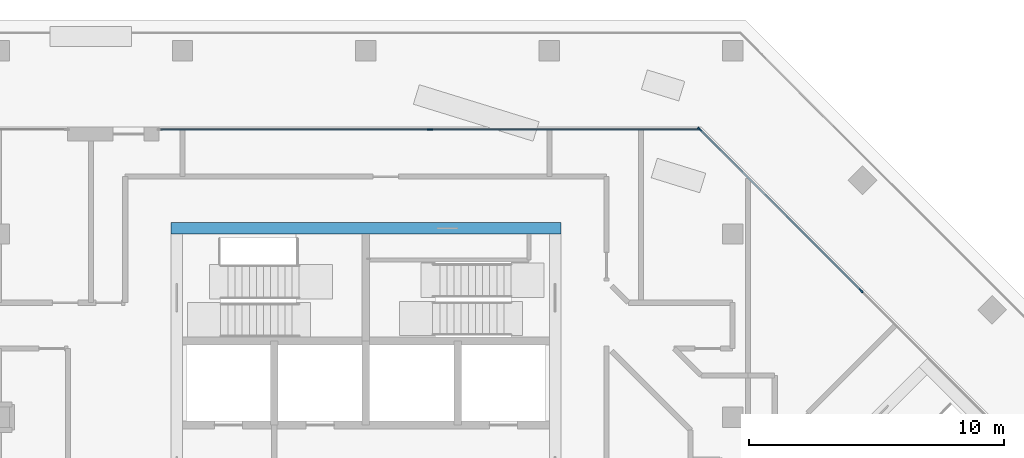
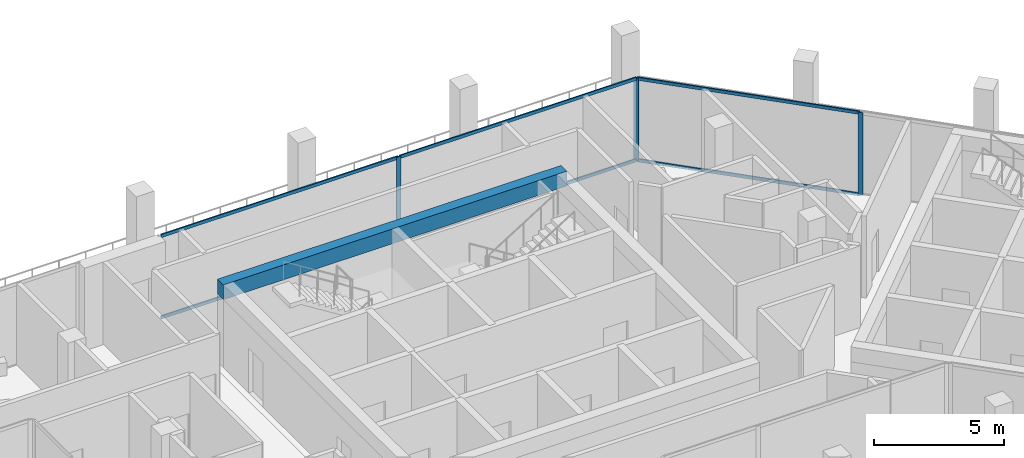
# One storey, part 6 of 20: 9 members, 1 beam, 2 elements without a shape of their own.
"""IFC4 building model written with IfcOpenShell, lengths in metres."""

from ifc_helpers import new_model, si_unit, direction, frame, origin, origin_2d, place, context, subcontext, project, spatial, rectangle, extrude, material, material_profile, profile_set, type_object, element, aggregate, save


model = new_model("IFC4")

# Units and contexts
model_context = context("Model", 3, precision=1e-05, world=origin(), true_north=direction((0.0, 1.0)))
body_context = subcontext(model_context, "Body", "Model", "MODEL_VIEW")
ifc_project = project(units=[si_unit("LENGTHUNIT", "METRE"), si_unit("AREAUNIT", "SQUARE_METRE"), si_unit("VOLUMEUNIT", "CUBIC_METRE"), si_unit("PLANEANGLEUNIT", "RADIAN"), si_unit("MASSUNIT", "GRAM", prefix="KILO")], contexts=[model_context])

# Site, building, storey
site_placement = place(None, origin())
site = spatial("IfcSite", under=ifc_project, at=site_placement, CompositionType="ELEMENT")
building_placement = place(site_placement, origin())
building = spatial("IfcBuilding", under=site, at=building_placement, Name="Windrow Commons", CompositionType="ELEMENT")
storey_placement = place(building_placement, frame((0.0, 0.0, 239.6)))
storey = spatial("IfcBuildingStorey", under=building, at=storey_placement, Name="L65", CompositionType="ELEMENT", Elevation=239.6)

# Curtain wall, members
ifc_material_1 = material(Name="Clear laminated glass in Aluminium 6063-T6 anodised frame", Category="aluminium")
curtain_wall_type = type_object("IfcCurtainWallType", Name="Curtain wall CW2H sky lounge upper", PredefinedType="USERDEFINED", material=ifc_material_1)
placement = place(storey_placement, origin())
curtain_wall_1 = element("IfcCurtainWall", 1, at=placement, inside=storey, type_object=curtain_wall_type, Name="Curtain wall CW2H L65 3", ObjectType="UNITISED", PredefinedType="USERDEFINED")
ifc_material_2 = material(Name="Aluminium 6063-T6", Category="aluminium")
ifc_material_profile_1 = material_profile(ifc_material_2, rectangle(XDim=0.06, YDim=0.2, at=origin_2d()))
ifc_profile_set_1 = profile_set([ifc_material_profile_1], Name="Aluminium 6063-T6")
member_type_1 = type_object("IfcMemberType", Name="CW2H mullion 60x200", PredefinedType="MULLION", material=ifc_profile_set_1)
member_1_placement = place(storey_placement, frame((84.2406, 62.5754, 0.0), z_axis=(0.0, 0.0, 1.0), x_axis=(-0.7071067812, -0.7071067812, 0.0)))
member_1 = element("IfcMember", 2, at=member_1_placement, type_object=member_type_1, Name="CW2H mullion 3", PredefinedType="MULLION", context=body_context, shape_type="SweptSolid", body=[
    extrude(rectangle(XDim=0.06, YDim=0.2, at=origin_2d()), origin(), (0.0, 0.0, 1.0), 3.9),
])
member_2_placement = place(storey_placement, frame((77.9079, 68.9081, 0.0), z_axis=(0.0, 0.0, 1.0), x_axis=(-0.7071067812, -0.7071067812, 0.0)))
member_2 = element("IfcMember", 3, at=member_2_placement, type_object=member_type_1, Name="CW2H mullion 4", PredefinedType="MULLION", context=body_context, shape_type="SweptSolid", body=[
    extrude(rectangle(XDim=0.06, YDim=0.2, at=origin_2d()), origin(), (0.0, 0.0, 1.0), 3.9),
])

# Curtain wall, member
curtain_wall_2 = element("IfcCurtainWall", 4, at=placement, inside=storey, type_object=curtain_wall_type, Name="Curtain wall CW2H L65 4.1", ObjectType="UNITISED", PredefinedType="USERDEFINED")
member_3_placement = place(storey_placement, frame((67.3179, 68.9, 0.0), z_axis=(0.0, 0.0, 1.0), x_axis=(0.0, -1.0, 0.0)))
member_3 = element("IfcMember", 5, at=member_3_placement, type_object=member_type_1, Name="CW2H mullion 2", PredefinedType="MULLION", context=body_context, shape_type="SweptSolid", body=[
    extrude(rectangle(XDim=0.06, YDim=0.2, at=origin_2d()), origin(), (0.0, 0.0, 1.0), 3.9),
])

# Member
ifc_material_3 = material(Name="Aluminium 6063-T6", Category="aluminium")
ifc_material_profile_2 = material_profile(ifc_material_3, rectangle(XDim=0.06, YDim=0.15, at=origin_2d()))
ifc_profile_set_2 = profile_set([ifc_material_profile_2], Name="Aluminium 6063-T6")
member_type_2 = type_object("IfcMemberType", Name="CW2H transom 60x150", PredefinedType="USERDEFINED", material=ifc_profile_set_2)
member_4_placement = place(storey_placement, frame((84.2194, 62.5966, 0.03), z_axis=(-0.7071067812, 0.7071067812, 0.0), x_axis=(-0.7071067812, -0.7071067812, 0.0)))
member_4 = element("IfcMember", 6, at=member_4_placement, type_object=member_type_2, Name="CW2H transom 3.1", ObjectType="TRANSOM", PredefinedType="USERDEFINED", context=body_context, shape_type="SweptSolid", body=[
    extrude(rectangle(XDim=0.06, YDim=0.15, at=origin_2d()), origin(), (0.0, 0.0, 1.0), 8.8958),
])

member_5_placement = place(storey_placement, frame((84.2194, 62.5966, 3.87), z_axis=(-0.7071067812, 0.7071067812, 0.0), x_axis=(-0.7071067812, -0.7071067812, 0.0)))
member_5 = element("IfcMember", 7, at=member_5_placement, type_object=member_type_2, Name="CW2H transom 3.2", ObjectType="TRANSOM", PredefinedType="USERDEFINED", context=body_context, shape_type="SweptSolid", body=[
    extrude(rectangle(XDim=0.06, YDim=0.15, at=origin_2d()), origin(), (0.0, 0.0, 1.0), 8.8958),
])

aggregate(curtain_wall_1, [member_1, member_2, member_4, member_5])

member_6_placement = place(storey_placement, frame((77.8974, 68.9, 0.03), z_axis=(-1.0, 0.0, 0.0), x_axis=(0.0, -1.0, 0.0)))
member_6 = element("IfcMember", 8, at=member_6_placement, type_object=member_type_2, Name="CW2H transom 1.1", ObjectType="TRANSOM", PredefinedType="USERDEFINED", context=body_context, shape_type="SweptSolid", body=[
    extrude(rectangle(XDim=0.06, YDim=0.15, at=origin_2d()), origin(), (0.0, 0.0, 1.0), 10.5495),
])

member_7_placement = place(storey_placement, frame((77.8974, 68.9, 3.87), z_axis=(-1.0, 0.0, 0.0), x_axis=(0.0, -1.0, 0.0)))
member_7 = element("IfcMember", 9, at=member_7_placement, type_object=member_type_2, Name="CW2H transom 1.2", ObjectType="TRANSOM", PredefinedType="USERDEFINED", context=body_context, shape_type="SweptSolid", body=[
    extrude(rectangle(XDim=0.06, YDim=0.15, at=origin_2d()), origin(), (0.0, 0.0, 1.0), 10.5495),
])

member_8_placement = place(storey_placement, frame((67.2879, 68.9, 0.03), z_axis=(-1.0, 0.0, 0.0), x_axis=(0.0, -1.0, 0.0)))
member_8 = element("IfcMember", 10, at=member_8_placement, type_object=member_type_2, Name="CW2H transom 2.1", ObjectType="TRANSOM", PredefinedType="USERDEFINED", context=body_context, shape_type="SweptSolid", body=[
    extrude(rectangle(XDim=0.06, YDim=0.15, at=origin_2d()), origin(), (0.0, 0.0, 1.0), 10.5495),
])

member_9_placement = place(storey_placement, frame((67.2879, 68.9, 3.87), z_axis=(-1.0, 0.0, 0.0), x_axis=(0.0, -1.0, 0.0)))
member_9 = element("IfcMember", 11, at=member_9_placement, type_object=member_type_2, Name="CW2H transom 2.2", ObjectType="TRANSOM", PredefinedType="USERDEFINED", context=body_context, shape_type="SweptSolid", body=[
    extrude(rectangle(XDim=0.06, YDim=0.15, at=origin_2d()), origin(), (0.0, 0.0, 1.0), 10.5495),
])

aggregate(curtain_wall_2, [member_3, member_6, member_7, member_8, member_9])

# Beam
ifc_material_4 = material(Name="Concrete C40/50", Category="concrete")
ifc_material_profile_3 = material_profile(ifc_material_4, rectangle(XDim=0.45, YDim=0.7, at=origin_2d()))
ifc_profile_set_3 = profile_set([ifc_material_profile_3], Name="Concrete C40/50")
beam_type = type_object("IfcBeamType", Name="RC COUPLING BEAM 450x700 C40/50", PredefinedType="LINTEL", material=ifc_profile_set_3)
beam_placement = place(storey_placement, frame((57.15, 65.025, 3.55), z_axis=(1.0, 0.0, 0.0), x_axis=(0.0, 1.0, 0.0)))
element("IfcBeam", 12, at=beam_placement, inside=storey, type_object=beam_type, Name="Core A coupling beam outer-N", PredefinedType="LINTEL", context=body_context, shape_type="SweptSolid", body=[
    extrude(rectangle(XDim=0.45, YDim=0.7, at=origin_2d()), origin(), (0.0, 0.0, 1.0), 15.3),
])

save(model, "model.ifc")
